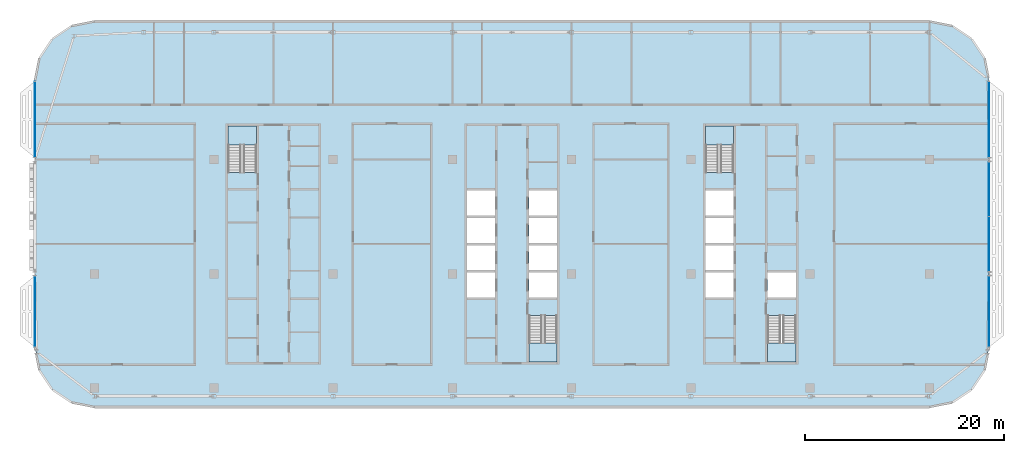
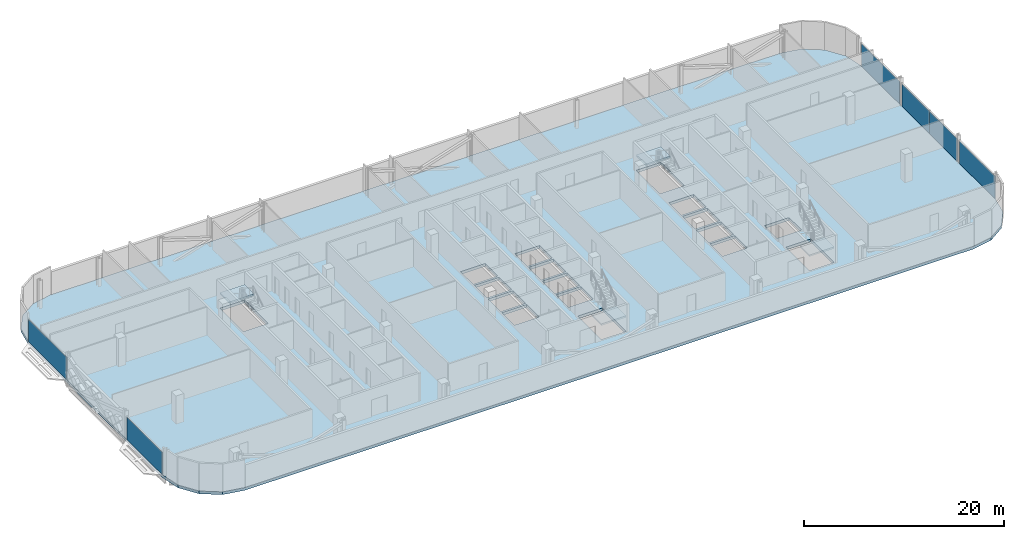
# One storey, part 12 of 28: 6 plates, 5 slabs, 9 elements without a shape of their own.
"""IFC4 building model written with IfcOpenShell, lengths in metres."""

from ifc_helpers import new_model, si_unit, direction, frame, origin, origin_2d, place, context, subcontext, project, spatial, polyline, rectangle, outline, extrude, material, layer, layer_set, type_object, element, aggregate, save


model = new_model("IFC4")

# Units and contexts
model_context = context("Model", 3, precision=1e-05, world=origin(), true_north=direction((0.0, 1.0)))
body_context = subcontext(model_context, "Body", "Model", "MODEL_VIEW")
ifc_project = project(units=[si_unit("LENGTHUNIT", "METRE"), si_unit("AREAUNIT", "SQUARE_METRE"), si_unit("VOLUMEUNIT", "CUBIC_METRE"), si_unit("PLANEANGLEUNIT", "RADIAN"), si_unit("MASSUNIT", "GRAM", prefix="KILO")], contexts=[model_context])

# Site, building, storey
site_placement = place(None, origin())
site = spatial("IfcSite", under=ifc_project, at=site_placement, CompositionType="ELEMENT")
building_placement = place(site_placement, origin())
building = spatial("IfcBuilding", under=site, at=building_placement, Name="Mahtab Terrace Research Tower", CompositionType="ELEMENT")
storey_placement = place(building_placement, frame((0.0, 0.0, 270.89990234375)))
storey = spatial("IfcBuildingStorey", under=building, at=storey_placement, Name="L66", CompositionType="ELEMENT", Elevation=270.89990234375)

# Stair, slab
ifc_material_1 = material(Name="Exit stair half-turn")
stair_type = type_object("IfcStairType", Name="Exit stair half-turn", PredefinedType="HALF_TURN_STAIR", material=ifc_material_1)
stair_1_placement = place(storey_placement, origin())
stair_1 = element("IfcStair", 1, at=stair_1_placement, inside=storey, type_object=stair_type, Name="L66 Protected exit stair ST1", PredefinedType="HALF_TURN_STAIR")
ifc_material_2 = material(Name="Concrete C40/50", Category="concrete")
ifc_layer_1 = layer(ifc_material_2, 0.199951171875)
ifc_layer_set_1 = layer_set([ifc_layer_1], Name="Exit stair landing 200")
slab_type_1 = type_object("IfcSlabType", Name="Exit stair landing 200", PredefinedType="LANDING", material=ifc_layer_set_1)
slab_1_placement = place(storey_placement, frame((0.0, 0.0, 1.7001953125)))
slab_1 = element("IfcSlab", 2, at=slab_1_placement, type_object=slab_type_1, Name="ST1 landing 1", PredefinedType="LANDING", context=body_context, shape_type="SweptSolid", body=[
    extrude(outline(polyline([(-25.699951171875, 12.97509765625), (-25.699951171875, 14.875), (-28.550048828125, 14.875), (-28.550048828125, 12.97509765625), (-25.699951171875, 12.97509765625)])), origin(), (0.0, 0.0, 1.0), 0.199951171875),
])
aggregate(stair_1, [slab_1])

stair_2_placement = place(storey_placement, origin())
stair_2 = element("IfcStair", 3, at=stair_2_placement, inside=storey, type_object=stair_type, Name="L66 Protected exit stair ST2", PredefinedType="HALF_TURN_STAIR")
slab_2_placement = place(storey_placement, frame((0.0, 0.0, 1.7001953125)))
slab_2 = element("IfcSlab", 4, at=slab_2_placement, type_object=slab_type_1, Name="ST2 landing 1", PredefinedType="LANDING", context=body_context, shape_type="SweptSolid", body=[
    extrude(outline(polyline([(1.699951171875, -6.97509765625), (1.699951171875, -8.875), (4.550048828125, -8.875), (4.550048828125, -6.97509765625), (1.699951171875, -6.97509765625)])), origin(), (0.0, 0.0, 1.0), 0.199951171875),
])
aggregate(stair_2, [slab_2])

stair_3_placement = place(storey_placement, origin())
stair_3 = element("IfcStair", 5, at=stair_3_placement, inside=storey, type_object=stair_type, Name="L66 Protected exit stair ST3", PredefinedType="HALF_TURN_STAIR")
slab_3_placement = place(storey_placement, frame((0.0, 0.0, 1.7001953125)))
slab_3 = element("IfcSlab", 6, at=slab_3_placement, type_object=slab_type_1, Name="ST3 landing 1", PredefinedType="LANDING", context=body_context, shape_type="SweptSolid", body=[
    extrude(outline(polyline([(22.300048828125, 12.97509765625), (22.300048828125, 14.875), (19.449951171875, 14.875), (19.449951171875, 12.97509765625), (22.300048828125, 12.97509765625)])), origin(), (0.0, 0.0, 1.0), 0.199951171875),
])
aggregate(stair_3, [slab_3])

stair_4_placement = place(storey_placement, origin())
stair_4 = element("IfcStair", 7, at=stair_4_placement, inside=storey, type_object=stair_type, Name="L66 Protected exit stair ST4", PredefinedType="HALF_TURN_STAIR")
slab_4_placement = place(storey_placement, frame((0.0, 0.0, 1.7001953125)))
slab_4 = element("IfcSlab", 8, at=slab_4_placement, type_object=slab_type_1, Name="ST4 landing 1", PredefinedType="LANDING", context=body_context, shape_type="SweptSolid", body=[
    extrude(outline(polyline([(25.699951171875, -6.97509765625), (25.699951171875, -8.875), (28.550048828125, -8.875), (28.550048828125, -6.97509765625), (25.699951171875, -6.97509765625)])), origin(), (0.0, 0.0, 1.0), 0.199951171875),
])
aggregate(stair_4, [slab_4])

# Curtain wall, plate
ifc_material_3 = material(Name="Office ribbon curtain wall")
curtain_wall_type = type_object("IfcCurtainWallType", Name="Office ribbon curtain wall", PredefinedType="NOTDEFINED", material=ifc_material_3)
curtain_wall_1_placement = place(storey_placement, origin())
curtain_wall_1 = element("IfcCurtainWall", 9, at=curtain_wall_1_placement, inside=storey, type_object=curtain_wall_type, Name="EN.L66.8.8", PredefinedType="NOTDEFINED")
ifc_material_4 = material(Name="Dark glazing", Category="glass")
ifc_layer_2 = layer(ifc_material_4, 0.030029296875)
ifc_layer_set_2 = layer_set([ifc_layer_2], Name="Office ribbon curtain wall glazing panel")
plate_type = type_object("IfcPlateType", Name="Office ribbon curtain wall glazing panel", PredefinedType="CURTAIN_PANEL", material=ifc_layer_set_2)
plate_1_placement = place(storey_placement, frame((-48.0, 15.5390625, 0.0), z_axis=(0.0, 0.0, 1.0), x_axis=(0.0, -1.0, 0.0)))
plate_1 = element("IfcPlate", 10, at=plate_1_placement, type_object=plate_type, Name="CWO-8 panel 1", PredefinedType="CURTAIN_PANEL", context=body_context, shape_type="SweptSolid", body=[
    extrude(rectangle(XDim=7.58203125, YDim=0.030029296875, at=origin_2d()), origin(), (0.0, 0.0, 1.0), 2.7529296875),
])
aggregate(curtain_wall_1, [plate_1])

curtain_wall_2_placement = place(storey_placement, origin())
curtain_wall_2 = element("IfcCurtainWall", 11, at=curtain_wall_2_placement, inside=storey, type_object=curtain_wall_type, Name="EN.L66.8.10", PredefinedType="NOTDEFINED")
plate_2_placement = place(storey_placement, frame((-48.0, -3.7890625, 0.0), z_axis=(0.0, 0.0, 1.0), x_axis=(0.0, -1.0, 0.0)))
plate_2 = element("IfcPlate", 12, at=plate_2_placement, type_object=plate_type, Name="CWO-8 panel 1", PredefinedType="CURTAIN_PANEL", context=body_context, shape_type="SweptSolid", body=[
    extrude(rectangle(XDim=7.08203125, YDim=0.030029296875, at=origin_2d()), origin(), (0.0, 0.0, 1.0), 2.7529296875),
])
aggregate(curtain_wall_2, [plate_2])

curtain_wall_3_placement = place(storey_placement, origin())
curtain_wall_3 = element("IfcCurtainWall", 13, at=curtain_wall_3_placement, inside=storey, type_object=curtain_wall_type, Name="EN.L66.18.22", PredefinedType="NOTDEFINED")
plate_3_placement = place(storey_placement, frame((48.0, -3.7890625, 0.0), z_axis=(0.0, 0.0, 1.0), x_axis=(0.0, 1.0, 0.0)))
plate_3 = element("IfcPlate", 14, at=plate_3_placement, type_object=plate_type, Name="CWO-8 panel 1", PredefinedType="CURTAIN_PANEL", context=body_context, shape_type="SweptSolid", body=[
    extrude(rectangle(XDim=7.08203125, YDim=0.030029296875, at=origin_2d()), origin(), (0.0, 0.0, 1.0), 2.7529296875),
])
aggregate(curtain_wall_3, [plate_3])

# Curtain wall, plates
curtain_wall_4_placement = place(storey_placement, origin())
curtain_wall_4 = element("IfcCurtainWall", 15, at=curtain_wall_4_placement, inside=storey, type_object=curtain_wall_type, Name="EN.L66.18.23", PredefinedType="NOTDEFINED")
plate_4_placement = place(storey_placement, frame((48.0, 2.98388671875, 0.0), z_axis=(0.0, 0.0, 1.0), x_axis=(0.0, 1.0, 0.0)))
plate_4 = element("IfcPlate", 16, at=plate_4_placement, type_object=plate_type, Name="CWO-8 panel 1", PredefinedType="CURTAIN_PANEL", context=body_context, shape_type="SweptSolid", body=[
    extrude(rectangle(XDim=5.471923828125, YDim=0.030029296875, at=origin_2d()), origin(), (0.0, 0.0, 1.0), 2.7529296875),
])
plate_5_placement = place(storey_placement, frame((48.0, 8.51611328125, 0.0), z_axis=(0.0, 0.0, 1.0), x_axis=(0.0, 1.0, 0.0)))
plate_5 = element("IfcPlate", 17, at=plate_5_placement, type_object=plate_type, Name="CWO-8 panel 2", PredefinedType="CURTAIN_PANEL", context=body_context, shape_type="SweptSolid", body=[
    extrude(rectangle(XDim=5.471923828125, YDim=0.030029296875, at=origin_2d()), origin(), (0.0, 0.0, 1.0), 2.7529296875),
])
aggregate(curtain_wall_4, [plate_4, plate_5])

# Curtain wall, plate
curtain_wall_5_placement = place(storey_placement, origin())
curtain_wall_5 = element("IfcCurtainWall", 18, at=curtain_wall_5_placement, inside=storey, type_object=curtain_wall_type, Name="EN.L66.18.24", PredefinedType="NOTDEFINED")
plate_6_placement = place(storey_placement, frame((48.0, 15.5390625, 0.0), z_axis=(0.0, 0.0, 1.0), x_axis=(0.0, 1.0, 0.0)))
plate_6 = element("IfcPlate", 19, at=plate_6_placement, type_object=plate_type, Name="CWO-8 panel 1", PredefinedType="CURTAIN_PANEL", context=body_context, shape_type="SweptSolid", body=[
    extrude(rectangle(XDim=7.58203125, YDim=0.030029296875, at=origin_2d()), origin(), (0.0, 0.0, 1.0), 2.7529296875),
])
aggregate(curtain_wall_5, [plate_6])

# Slab
ifc_layer_3 = layer(ifc_material_2, 0.340087890625)
ifc_layer_set_3 = layer_set([ifc_layer_3], Name="PT flat slab 340")
slab_type_2 = type_object("IfcSlabType", Name="PT flat slab 340", PredefinedType="FLOOR", material=ifc_layer_set_3)
slab_5_placement = place(storey_placement, frame((0.0, 0.0, -0.33984375)))
element("IfcSlab", 20, at=slab_5_placement, inside=storey, type_object=slab_type_2, Name="Floor slab L66", PredefinedType="FLOOR", context=body_context, shape_type="SweptSolid", body=[
    extrude(outline(polyline([(47.54296875, 21.68603515625), (46.242919921875, 23.633056640625), (44.2958984375, 24.93310546875), (42.0, 25.389892578125), (-42.0, 25.389892578125), (-44.2958984375, 24.93310546875), (-46.242919921875, 23.633056640625), (-47.54296875, 21.68603515625), (-48.0, 19.389892578125), (-48.0, -7.389892578125), (-47.54296875, -9.68603515625), (-46.242919921875, -11.633056640625), (-44.2958984375, -12.93310546875), (-42.0, -13.389892578125), (42.0, -13.389892578125), (44.2958984375, -12.93310546875), (46.242919921875, -11.633056640625), (47.54296875, -9.68603515625), (48.0, -7.389892578125), (48.0, 19.389892578125), (47.54296875, 21.68603515625)]), holes=[polyline([(-4.550048828125, -2.375), (-4.550048828125, 0.125), (-1.699951171875, 0.125), (-1.699951171875, -2.375), (-4.550048828125, -2.375)]), polyline([(1.699951171875, -2.375), (1.699951171875, 0.125), (4.550048828125, 0.125), (4.550048828125, -2.375), (1.699951171875, -2.375)]), polyline([(-4.550048828125, 0.375), (-4.550048828125, 2.875), (-1.699951171875, 2.875), (-1.699951171875, 0.375), (-4.550048828125, 0.375)]), polyline([(1.699951171875, 0.375), (1.699951171875, 2.875), (4.550048828125, 2.875), (4.550048828125, 0.375), (1.699951171875, 0.375)]), polyline([(-4.550048828125, 3.125), (-4.550048828125, 5.625), (-1.699951171875, 5.625), (-1.699951171875, 3.125), (-4.550048828125, 3.125)]), polyline([(1.699951171875, 3.125), (1.699951171875, 5.625), (4.550048828125, 5.625), (4.550048828125, 3.125), (1.699951171875, 3.125)]), polyline([(-4.550048828125, 5.875), (-4.550048828125, 8.375), (-1.699951171875, 8.375), (-1.699951171875, 5.875), (-4.550048828125, 5.875)]), polyline([(1.699951171875, 5.875), (1.699951171875, 8.375), (4.550048828125, 8.375), (4.550048828125, 5.875), (1.699951171875, 5.875)]), polyline([(-28.550048828125, 10.177001953125), (-28.550048828125, 14.875), (-25.699951171875, 14.875), (-25.699951171875, 10.177001953125), (-28.550048828125, 10.177001953125)]), polyline([(1.699951171875, -8.875), (1.699951171875, -4.177001953125), (4.550048828125, -4.177001953125), (4.550048828125, -8.875), (1.699951171875, -8.875)]), polyline([(25.699951171875, -8.875), (25.699951171875, -4.177001953125), (28.550048828125, -4.177001953125), (28.550048828125, -8.875), (25.699951171875, -8.875)]), polyline([(19.449951171875, -2.375), (19.449951171875, 0.125), (22.300048828125, 0.125), (22.300048828125, -2.375), (19.449951171875, -2.375)]), polyline([(25.699951171875, -2.375), (25.699951171875, 0.125), (28.550048828125, 0.125), (28.550048828125, -2.375), (25.699951171875, -2.375)]), polyline([(19.449951171875, 0.375), (19.449951171875, 2.875), (22.300048828125, 2.875), (22.300048828125, 0.375), (19.449951171875, 0.375)]), polyline([(19.449951171875, 3.125), (19.449951171875, 5.625), (22.300048828125, 5.625), (22.300048828125, 3.125), (19.449951171875, 3.125)]), polyline([(19.449951171875, 8.375), (22.300048828125, 8.375), (22.300048828125, 5.875), (19.449951171875, 5.875), (19.449951171875, 8.375)]), polyline([(19.449951171875, 14.875), (22.300048828125, 14.875), (22.300048828125, 10.177001953125), (19.449951171875, 10.177001953125), (19.449951171875, 14.875)])]), origin(), (0.0, 0.0, 1.0), 0.33984375),
])

save(model, "model.ifc")
